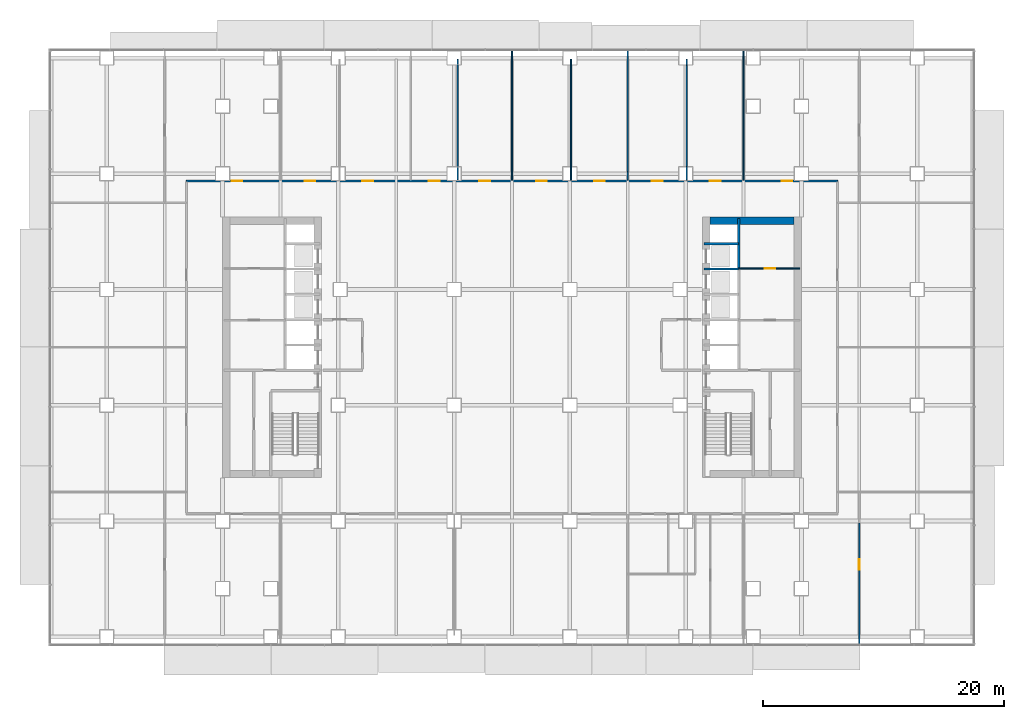
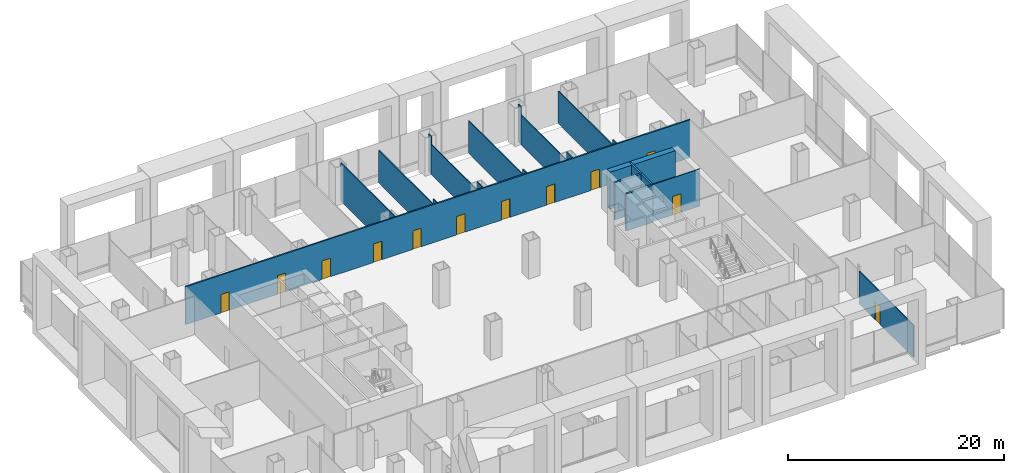
# One storey, part 17 of 23: 20 walls, 12 doors, 12 openings.
"""IFC4 building model written with IfcOpenShell, lengths in metres."""

from ifc_helpers import new_model, si_unit, direction, frame, frame_2d, origin, place, context, subcontext, project, spatial, rectangle, extrude, material, layer, layer_set, type_object, element, fill, save


model = new_model("IFC4")

# Units and contexts
model_context = context("Model", 3, precision=1e-05, world=origin(), true_north=direction((0.0, 1.0)))
body_context = subcontext(model_context, "Body", "Model", "MODEL_VIEW")
ifc_project = project(units=[si_unit("LENGTHUNIT", "METRE"), si_unit("AREAUNIT", "SQUARE_METRE"), si_unit("VOLUMEUNIT", "CUBIC_METRE"), si_unit("PLANEANGLEUNIT", "RADIAN"), si_unit("MASSUNIT", "GRAM", prefix="KILO")], contexts=[model_context])

# Site, building, storey
site_placement = place(None, origin())
site = spatial("IfcSite", under=ifc_project, at=site_placement, CompositionType="ELEMENT")
building_placement = place(site_placement, origin())
building = spatial("IfcBuilding", under=site, at=building_placement, Name="Cobrizo Arcos Hotel Tower", CompositionType="ELEMENT")
storey_placement = place(building_placement, frame((0.0, 0.0, 15.5)))
storey = spatial("IfcBuildingStorey", under=building, at=storey_placement, Name="L02", CompositionType="ELEMENT", Elevation=15.5)

# Wall, openings, doors
ifc_material_1 = material(Name="Gypsum board partition")
ifc_layer_1 = layer(ifc_material_1, 0.14990234375)
ifc_layer_set_1 = layer_set([ifc_layer_1], Name="Corridor wall EI 60 150")
wall_type_1 = type_object("IfcWallType", Name="Corridor wall EI 60 150", PredefinedType="PARTITIONING", material=ifc_layer_set_1)
wall_1_placement = place(storey_placement, frame((-27.0, 13.800048828125, 0.0), z_axis=(0.0, 0.0, 1.0), x_axis=(1.0, 0.0, 0.0)))
wall_1 = element("IfcWall", 1, at=wall_1_placement, inside=storey, type_object=wall_type_1, Name="Partition 031", PredefinedType="PARTITIONING", context=body_context, shape_type="SweptSolid", body=[
    extrude(rectangle(XDim=54.0, YDim=0.14990234375, at=frame_2d((27.0, 0.0))), origin(), (0.0, 0.0, 1.0), 4.300048828125),
])
opening_1_placement = place(wall_1_placement, frame((29.0009765625, 0.0, 0.0)))
opening_1 = element("IfcOpeningElement", 2, at=opening_1_placement, cuts=wall_1, Name="Opening RD-09", PredefinedType="OPENING", context=body_context, shape_type="SweptSolid", body=[
    extrude(rectangle(XDim=0.89990234375, YDim=2.10009765625, at=frame_2d((0.449951171875, 1.050048828125))), frame((0.0, 0.0869140625, 0.0), z_axis=(0.0, -1.0, 0.0), x_axis=(1.0, 0.0, 0.0)), (0.0, 0.0, 1.0), 0.173828125),
])
opening_2_placement = place(wall_1_placement, frame((33.801025390625, 0.0, 0.0)))
opening_2 = element("IfcOpeningElement", 3, at=opening_2_placement, cuts=wall_1, Name="Opening RD-10", PredefinedType="OPENING", context=body_context, shape_type="SweptSolid", body=[
    extrude(rectangle(XDim=0.89990234375, YDim=2.10009765625, at=frame_2d((0.449951171875, 1.050048828125))), frame((0.0, 0.0869140625, 0.0), z_axis=(0.0, -1.0, 0.0), x_axis=(1.0, 0.0, 0.0)), (0.0, 0.0, 1.0), 0.173828125),
])
opening_3_placement = place(wall_1_placement, frame((38.60107421875, 0.0, 0.0)))
opening_3 = element("IfcOpeningElement", 4, at=opening_3_placement, cuts=wall_1, Name="Opening RD-11", PredefinedType="OPENING", context=body_context, shape_type="SweptSolid", body=[
    extrude(rectangle(XDim=0.89990234375, YDim=2.10009765625, at=frame_2d((0.449951171875, 1.050048828125))), frame((0.0, 0.0869140625, 0.0), z_axis=(0.0, -1.0, 0.0), x_axis=(1.0, 0.0, 0.0)), (0.0, 0.0, 1.0), 0.173828125),
])
opening_4_placement = place(wall_1_placement, frame((43.40087890625, 0.0, 0.0)))
opening_4 = element("IfcOpeningElement", 5, at=opening_4_placement, cuts=wall_1, Name="Opening RD-12", PredefinedType="OPENING", context=body_context, shape_type="SweptSolid", body=[
    extrude(rectangle(XDim=0.89990234375, YDim=2.10009765625, at=frame_2d((0.449951171875, 1.050048828125))), frame((0.0, 0.0869140625, 0.0), z_axis=(0.0, -1.0, 0.0), x_axis=(1.0, 0.0, 0.0)), (0.0, 0.0, 1.0), 0.173828125),
])
opening_5_placement = place(wall_1_placement, frame((9.801025390625, 0.0, 0.0)))
opening_5 = element("IfcOpeningElement", 6, at=opening_5_placement, cuts=wall_1, Name="Opening RD-13", PredefinedType="OPENING", context=body_context, shape_type="SweptSolid", body=[
    extrude(rectangle(XDim=0.89990234375, YDim=2.10009765625, at=frame_2d((0.449951171875, 1.050048828125))), frame((0.0, 0.0869140625, 0.0), z_axis=(0.0, -1.0, 0.0), x_axis=(1.0, 0.0, 0.0)), (0.0, 0.0, 1.0), 0.173828125),
])
opening_6_placement = place(wall_1_placement, frame((14.60107421875, 0.0, 0.0)))
opening_6 = element("IfcOpeningElement", 7, at=opening_6_placement, cuts=wall_1, Name="Opening RD-14", PredefinedType="OPENING", context=body_context, shape_type="SweptSolid", body=[
    extrude(rectangle(XDim=0.89990234375, YDim=2.10009765625, at=frame_2d((0.449951171875, 1.050048828125))), frame((0.0, 0.0869140625, 0.0), z_axis=(0.0, -1.0, 0.0), x_axis=(1.0, 0.0, 0.0)), (0.0, 0.0, 1.0), 0.173828125),
])
opening_7_placement = place(wall_1_placement, frame((20.094970703125, 0.0, 0.0)))
opening_7 = element("IfcOpeningElement", 8, at=opening_7_placement, cuts=wall_1, Name="Opening RD-15", PredefinedType="OPENING", context=body_context, shape_type="SweptSolid", body=[
    extrude(rectangle(XDim=0.89990234375, YDim=2.10009765625, at=frame_2d((0.449951171875, 1.050048828125))), frame((0.0, 0.0869140625, 0.0), z_axis=(0.0, -1.0, 0.0), x_axis=(1.0, 0.0, 0.0)), (0.0, 0.0, 1.0), 0.173828125),
])
opening_8_placement = place(wall_1_placement, frame((3.75, 0.0, 0.0)))
opening_8 = element("IfcOpeningElement", 9, at=opening_8_placement, cuts=wall_1, Name="Opening RD-19", PredefinedType="OPENING", context=body_context, shape_type="SweptSolid", body=[
    extrude(rectangle(XDim=0.89990234375, YDim=2.10009765625, at=frame_2d((0.449951171875, 1.050048828125))), frame((0.0, 0.0869140625, 0.0), z_axis=(0.0, -1.0, 0.0), x_axis=(1.0, 0.0, 0.0)), (0.0, 0.0, 1.0), 0.173828125),
])
opening_9_placement = place(wall_1_placement, frame((49.35009765625, 0.0, 0.0)))
opening_9 = element("IfcOpeningElement", 10, at=opening_9_placement, cuts=wall_1, Name="Opening RD-23", PredefinedType="OPENING", context=body_context, shape_type="SweptSolid", body=[
    extrude(rectangle(XDim=0.89990234375, YDim=2.10009765625, at=frame_2d((0.449951171875, 1.050048828125))), frame((0.0, 0.0869140625, 0.0), z_axis=(0.0, -1.0, 0.0), x_axis=(1.0, 0.0, 0.0)), (0.0, 0.0, 1.0), 0.173828125),
])
opening_10_placement = place(wall_1_placement, frame((24.302978515625, 0.0, 0.0)))
opening_10 = element("IfcOpeningElement", 11, at=opening_10_placement, cuts=wall_1, Name="Opening RD-26", PredefinedType="OPENING", context=body_context, shape_type="SweptSolid", body=[
    extrude(rectangle(XDim=0.89990234375, YDim=2.10009765625, at=frame_2d((0.449951171875, 1.050048828125))), frame((0.0, 0.0869140625, 0.0), z_axis=(0.0, -1.0, 0.0), x_axis=(1.0, 0.0, 0.0)), (0.0, 0.0, 1.0), 0.173828125),
])
ifc_material_2 = material(Name="Timber door leaf", Category="wood")
door_type = type_object("IfcDoorType", Name="Room door FD30 900x2100", OperationType="SINGLE_SWING_LEFT", PredefinedType="DOOR", material=ifc_material_2)
door_1_placement = place(opening_1_placement, origin())
door_1 = element("IfcDoor", 12, at=door_1_placement, inside=storey, type_object=door_type, Name="Door RD-09", OperationType="SINGLE_SWING_RIGHT", OverallHeight=2.10009765625, OverallWidth=0.89990234375, PredefinedType="DOOR", context=body_context, shape_type="SweptSolid", body=[
    extrude(rectangle(XDim=0.89990234375, YDim=2.10009765625, at=frame_2d((0.449951171875, 1.050048828125))), frame((0.0, 0.02490234375, 0.0), z_axis=(0.0, -1.0, 0.0), x_axis=(1.0, 0.0, 0.0)), (0.0, 0.0, 1.0), 0.050048828125),
])
fill(opening_1, door_1)
door_2_placement = place(opening_2_placement, origin())
door_2 = element("IfcDoor", 13, at=door_2_placement, inside=storey, type_object=door_type, Name="Door RD-10", OperationType="SINGLE_SWING_LEFT", OverallHeight=2.10009765625, OverallWidth=0.89990234375, PredefinedType="DOOR", context=body_context, shape_type="SweptSolid", body=[
    extrude(rectangle(XDim=0.89990234375, YDim=2.10009765625, at=frame_2d((0.449951171875, 1.050048828125))), frame((0.0, 0.02490234375, 0.0), z_axis=(0.0, -1.0, 0.0), x_axis=(1.0, 0.0, 0.0)), (0.0, 0.0, 1.0), 0.050048828125),
])
fill(opening_2, door_2)
door_3_placement = place(opening_3_placement, origin())
door_3 = element("IfcDoor", 14, at=door_3_placement, inside=storey, type_object=door_type, Name="Door RD-11", OperationType="SINGLE_SWING_RIGHT", OverallHeight=2.10009765625, OverallWidth=0.89990234375, PredefinedType="DOOR", context=body_context, shape_type="SweptSolid", body=[
    extrude(rectangle(XDim=0.89990234375, YDim=2.10009765625, at=frame_2d((0.449951171875, 1.050048828125))), frame((0.0, 0.02490234375, 0.0), z_axis=(0.0, -1.0, 0.0), x_axis=(1.0, 0.0, 0.0)), (0.0, 0.0, 1.0), 0.050048828125),
])
fill(opening_3, door_3)
door_4_placement = place(opening_4_placement, origin())
door_4 = element("IfcDoor", 15, at=door_4_placement, inside=storey, type_object=door_type, Name="Door RD-12", OperationType="SINGLE_SWING_RIGHT", OverallHeight=2.10009765625, OverallWidth=0.89990234375, PredefinedType="DOOR", context=body_context, shape_type="SweptSolid", body=[
    extrude(rectangle(XDim=0.89990234375, YDim=2.10009765625, at=frame_2d((0.449951171875, 1.050048828125))), frame((0.0, 0.02490234375, 0.0), z_axis=(0.0, -1.0, 0.0), x_axis=(1.0, 0.0, 0.0)), (0.0, 0.0, 1.0), 0.050048828125),
])
fill(opening_4, door_4)
door_5_placement = place(opening_5_placement, origin())
door_5 = element("IfcDoor", 16, at=door_5_placement, inside=storey, type_object=door_type, Name="Door RD-13", OperationType="SINGLE_SWING_LEFT", OverallHeight=2.10009765625, OverallWidth=0.89990234375, PredefinedType="DOOR", context=body_context, shape_type="SweptSolid", body=[
    extrude(rectangle(XDim=0.89990234375, YDim=2.10009765625, at=frame_2d((0.449951171875, 1.050048828125))), frame((0.0, 0.02490234375, 0.0), z_axis=(0.0, -1.0, 0.0), x_axis=(1.0, 0.0, 0.0)), (0.0, 0.0, 1.0), 0.050048828125),
])
fill(opening_5, door_5)
door_6_placement = place(opening_6_placement, origin())
door_6 = element("IfcDoor", 17, at=door_6_placement, inside=storey, type_object=door_type, Name="Door RD-14", OperationType="SINGLE_SWING_LEFT", OverallHeight=2.10009765625, OverallWidth=0.89990234375, PredefinedType="DOOR", context=body_context, shape_type="SweptSolid", body=[
    extrude(rectangle(XDim=0.89990234375, YDim=2.10009765625, at=frame_2d((0.449951171875, 1.050048828125))), frame((0.0, 0.02490234375, 0.0), z_axis=(0.0, -1.0, 0.0), x_axis=(1.0, 0.0, 0.0)), (0.0, 0.0, 1.0), 0.050048828125),
])
fill(opening_6, door_6)
door_7_placement = place(opening_7_placement, origin())
door_7 = element("IfcDoor", 18, at=door_7_placement, inside=storey, type_object=door_type, Name="Door RD-15", OperationType="SINGLE_SWING_LEFT", OverallHeight=2.10009765625, OverallWidth=0.89990234375, PredefinedType="DOOR", context=body_context, shape_type="SweptSolid", body=[
    extrude(rectangle(XDim=0.89990234375, YDim=2.10009765625, at=frame_2d((0.449951171875, 1.050048828125))), frame((0.0, 0.02490234375, 0.0), z_axis=(0.0, -1.0, 0.0), x_axis=(1.0, 0.0, 0.0)), (0.0, 0.0, 1.0), 0.050048828125),
])
fill(opening_7, door_7)
door_8_placement = place(opening_8_placement, origin())
door_8 = element("IfcDoor", 19, at=door_8_placement, inside=storey, type_object=door_type, Name="Door RD-19", OperationType="SINGLE_SWING_LEFT", OverallHeight=2.10009765625, OverallWidth=0.89990234375, PredefinedType="DOOR", context=body_context, shape_type="SweptSolid", body=[
    extrude(rectangle(XDim=0.89990234375, YDim=2.10009765625, at=frame_2d((0.449951171875, 1.050048828125))), frame((0.0, 0.02490234375, 0.0), z_axis=(0.0, -1.0, 0.0), x_axis=(1.0, 0.0, 0.0)), (0.0, 0.0, 1.0), 0.050048828125),
])
fill(opening_8, door_8)
door_9_placement = place(opening_9_placement, origin())
door_9 = element("IfcDoor", 20, at=door_9_placement, inside=storey, type_object=door_type, Name="Door RD-23", OperationType="SINGLE_SWING_LEFT", OverallHeight=2.10009765625, OverallWidth=0.89990234375, PredefinedType="DOOR", context=body_context, shape_type="SweptSolid", body=[
    extrude(rectangle(XDim=0.89990234375, YDim=2.10009765625, at=frame_2d((0.449951171875, 1.050048828125))), frame((0.0, 0.02490234375, 0.0), z_axis=(0.0, -1.0, 0.0), x_axis=(1.0, 0.0, 0.0)), (0.0, 0.0, 1.0), 0.050048828125),
])
fill(opening_9, door_9)
door_10_placement = place(opening_10_placement, origin())
door_10 = element("IfcDoor", 21, at=door_10_placement, inside=storey, type_object=door_type, Name="Door RD-26", OperationType="SINGLE_SWING_LEFT", OverallHeight=2.10009765625, OverallWidth=0.89990234375, PredefinedType="DOOR", context=body_context, shape_type="SweptSolid", body=[
    extrude(rectangle(XDim=0.89990234375, YDim=2.10009765625, at=frame_2d((0.449951171875, 1.050048828125))), frame((0.0, 0.02490234375, 0.0), z_axis=(0.0, -1.0, 0.0), x_axis=(1.0, 0.0, 0.0)), (0.0, 0.0, 1.0), 0.050048828125),
])
fill(opening_10, door_10)

# Wall, opening, door
ifc_layer_2 = layer(ifc_material_1, 0.10009765625)
ifc_layer_set_2 = layer_set([ifc_layer_2], Name="Partition EI 30 100")
wall_type_2 = type_object("IfcWallType", Name="Partition EI 30 100", PredefinedType="PARTITIONING", material=ifc_layer_set_2)
wall_2_placement = place(storey_placement, frame((18.800048828125, 6.550048828125, 0.0), z_axis=(0.0, 0.0, 1.0), x_axis=(1.0, 0.0, 0.0)))
wall_2 = element("IfcWall", 22, at=wall_2_placement, inside=storey, type_object=wall_type_2, Name="Partition 026", PredefinedType="PARTITIONING", context=body_context, shape_type="SweptSolid", body=[
    extrude(rectangle(XDim=5.079833984375, YDim=0.10009765625, at=frame_2d((2.5400390625, 0.0))), origin(), (0.0, 0.0, 1.0), 4.199951171875),
])
opening_11_placement = place(wall_2_placement, frame((2.14990234375, 0.0, 0.0)))
opening_11 = element("IfcOpeningElement", 23, at=opening_11_placement, cuts=wall_2, Name="Opening RD-08", PredefinedType="OPENING", context=body_context, shape_type="SweptSolid", body=[
    extrude(rectangle(XDim=0.89990234375, YDim=2.10009765625, at=frame_2d((0.449951171875, 1.050048828125))), frame((0.0, 0.06201171875, 0.0), z_axis=(0.0, -1.0, 0.0), x_axis=(1.0, 0.0, 0.0)), (0.0, 0.0, 1.0), 0.1240234375),
])
door_11_placement = place(opening_11_placement, origin())
door_11 = element("IfcDoor", 24, at=door_11_placement, inside=storey, type_object=door_type, Name="Door RD-08", OperationType="SINGLE_SWING_RIGHT", OverallHeight=2.10009765625, OverallWidth=0.89990234375, PredefinedType="DOOR", context=body_context, shape_type="SweptSolid", body=[
    extrude(rectangle(XDim=0.89990234375, YDim=2.10009765625, at=frame_2d((0.449951171875, 1.050048828125))), frame((0.0, 0.02490234375, 0.0), z_axis=(0.0, -1.0, 0.0), x_axis=(1.0, 0.0, 0.0)), (0.0, 0.0, 1.0), 0.050048828125),
])
fill(opening_11, door_11)

# Walls
wall_3_placement = place(storey_placement, frame((-4.5, 13.875, 0.0), z_axis=(0.0, 0.0, 1.0), x_axis=(0.0, 1.0, 0.0)))
element("IfcWall", 25, at=wall_3_placement, inside=storey, type_object=wall_type_2, Name="Partition 056", PredefinedType="PARTITIONING", context=body_context, shape_type="SweptSolid", body=[
    extrude(rectangle(XDim=10.0048828125, YDim=0.10009765625, at=frame_2d((5.00244140625, 0.0))), origin(), (0.0, 0.0, 1.0), 4.300048828125),
])
wall_4_placement = place(storey_placement, frame((0.0, 13.875, 0.0), z_axis=(0.0, 0.0, 1.0), x_axis=(0.0, 1.0, 0.0)))
element("IfcWall", 26, at=wall_4_placement, inside=storey, type_object=wall_type_2, Name="Partition 057", PredefinedType="PARTITIONING", context=body_context, shape_type="SweptSolid", body=[
    extrude(rectangle(XDim=0.678955078125, YDim=0.10009765625, at=frame_2d((0.33935546875, 0.0))), origin(), (0.0, 0.0, 1.0), 4.300048828125),
])
wall_5_placement = place(storey_placement, frame((0.0, 14.5537109375, 0.0), z_axis=(0.0, 0.0, 1.0), x_axis=(0.0, 1.0, 0.0)))
element("IfcWall", 27, at=wall_5_placement, inside=storey, type_object=wall_type_2, Name="Partition 058", PredefinedType="PARTITIONING", context=body_context, shape_type="SweptSolid", body=[
    extrude(rectangle(XDim=10.076171875, YDim=0.10009765625, at=frame_2d((5.0380859375, 0.0))), origin(), (0.0, 0.0, 1.0), 3.68310546875),
])
wall_6_placement = place(storey_placement, frame((4.89990234375, 13.875, 0.0), z_axis=(0.0, 0.0, 1.0), x_axis=(0.0, 1.0, 0.0)))
element("IfcWall", 28, at=wall_6_placement, inside=storey, type_object=wall_type_2, Name="Partition 059", PredefinedType="PARTITIONING", context=body_context, shape_type="SweptSolid", body=[
    extrude(rectangle(XDim=1.125, YDim=0.10009765625, at=frame_2d((0.5625, 0.0))), origin(), (0.0, 0.0, 1.0), 4.300048828125),
])
wall_7_placement = place(storey_placement, frame((4.89990234375, 15.0, 0.0), z_axis=(0.0, 0.0, 1.0), x_axis=(0.0, 1.0, 0.0)))
element("IfcWall", 29, at=wall_7_placement, inside=storey, type_object=wall_type_2, Name="Partition 060", PredefinedType="PARTITIONING", context=body_context, shape_type="SweptSolid", body=[
    extrude(rectangle(XDim=8.39990234375, YDim=0.10009765625, at=frame_2d((4.199951171875, 0.0))), origin(), (0.0, 0.0, 1.0), 3.373046875),
])
wall_8_placement = place(storey_placement, frame((4.89990234375, 23.39990234375, 0.0), z_axis=(0.0, 0.0, 1.0), x_axis=(0.0, 1.0, 0.0)))
element("IfcWall", 30, at=wall_8_placement, inside=storey, type_object=wall_type_2, Name="Partition 061", PredefinedType="PARTITIONING", context=body_context, shape_type="SweptSolid", body=[
    extrude(rectangle(XDim=0.47998046875, YDim=0.10009765625, at=frame_2d((0.239990234375, 0.0))), origin(), (0.0, 0.0, 1.0), 4.300048828125),
])
wall_9_placement = place(storey_placement, frame((9.60009765625, 13.875, 0.0), z_axis=(0.0, 0.0, 1.0), x_axis=(0.0, 1.0, 0.0)))
element("IfcWall", 31, at=wall_9_placement, inside=storey, type_object=wall_type_2, Name="Partition 064", PredefinedType="PARTITIONING", context=body_context, shape_type="SweptSolid", body=[
    extrude(rectangle(XDim=0.678955078125, YDim=0.10009765625, at=frame_2d((0.33935546875, 0.0))), origin(), (0.0, 0.0, 1.0), 4.300048828125),
])
wall_10_placement = place(storey_placement, frame((9.60009765625, 14.5537109375, 0.0), z_axis=(0.0, 0.0, 1.0), x_axis=(0.0, 1.0, 0.0)))
element("IfcWall", 32, at=wall_10_placement, inside=storey, type_object=wall_type_2, Name="Partition 065", PredefinedType="PARTITIONING", context=body_context, shape_type="SweptSolid", body=[
    extrude(rectangle(XDim=10.076171875, YDim=0.10009765625, at=frame_2d((5.0380859375, 0.0))), origin(), (0.0, 0.0, 1.0), 3.68310546875),
])
wall_11_placement = place(storey_placement, frame((14.5, 13.875, 0.0), z_axis=(0.0, 0.0, 1.0), x_axis=(0.0, 1.0, 0.0)))
element("IfcWall", 33, at=wall_11_placement, inside=storey, type_object=wall_type_2, Name="Partition 068", PredefinedType="PARTITIONING", context=body_context, shape_type="SweptSolid", body=[
    extrude(rectangle(XDim=1.125, YDim=0.10009765625, at=frame_2d((0.5625, 0.0))), origin(), (0.0, 0.0, 1.0), 4.300048828125),
])
wall_12_placement = place(storey_placement, frame((14.5, 15.0, 0.0), z_axis=(0.0, 0.0, 1.0), x_axis=(0.0, 1.0, 0.0)))
element("IfcWall", 34, at=wall_12_placement, inside=storey, type_object=wall_type_2, Name="Partition 069", PredefinedType="PARTITIONING", context=body_context, shape_type="SweptSolid", body=[
    extrude(rectangle(XDim=8.39990234375, YDim=0.10009765625, at=frame_2d((4.199951171875, 0.0))), origin(), (0.0, 0.0, 1.0), 3.373046875),
])
wall_13_placement = place(storey_placement, frame((14.5, 23.39990234375, 0.0), z_axis=(0.0, 0.0, 1.0), x_axis=(0.0, 1.0, 0.0)))
element("IfcWall", 35, at=wall_13_placement, inside=storey, type_object=wall_type_2, Name="Partition 070", PredefinedType="PARTITIONING", context=body_context, shape_type="SweptSolid", body=[
    extrude(rectangle(XDim=0.47998046875, YDim=0.10009765625, at=frame_2d((0.239990234375, 0.0))), origin(), (0.0, 0.0, 1.0), 4.300048828125),
])
wall_14_placement = place(storey_placement, frame((19.199951171875, 13.875, 0.0), z_axis=(0.0, 0.0, 1.0), x_axis=(0.0, 1.0, 0.0)))
element("IfcWall", 36, at=wall_14_placement, inside=storey, type_object=wall_type_2, Name="Partition 078", PredefinedType="PARTITIONING", context=body_context, shape_type="SweptSolid", body=[
    extrude(rectangle(XDim=0.678955078125, YDim=0.10009765625, at=frame_2d((0.33935546875, 0.0))), origin(), (0.0, 0.0, 1.0), 4.300048828125),
])
wall_15_placement = place(storey_placement, frame((19.199951171875, 14.5537109375, 0.0), z_axis=(0.0, 0.0, 1.0), x_axis=(0.0, 1.0, 0.0)))
element("IfcWall", 37, at=wall_15_placement, inside=storey, type_object=wall_type_2, Name="Partition 079", PredefinedType="PARTITIONING", context=body_context, shape_type="SweptSolid", body=[
    extrude(rectangle(XDim=10.076171875, YDim=0.10009765625, at=frame_2d((5.0380859375, 0.0))), origin(), (0.0, 0.0, 1.0), 3.68310546875),
])

# Wall, opening, door
wall_16_placement = place(storey_placement, frame((28.800048828125, -24.6298828125, 0.0), z_axis=(0.0, 0.0, 1.0), x_axis=(0.0, 1.0, 0.0)))
wall_16 = element("IfcWall", 38, at=wall_16_placement, inside=storey, type_object=wall_type_2, Name="Partition 083", PredefinedType="PARTITIONING", context=body_context, shape_type="SweptSolid", body=[
    extrude(rectangle(XDim=10.076171875, YDim=0.10009765625, at=frame_2d((5.0380859375, 0.0))), origin(), (0.0, 0.0, 1.0), 3.68310546875),
])
opening_12_placement = place(wall_16_placement, frame((6.179931640625, 0.0, 0.0)))
opening_12 = element("IfcOpeningElement", 39, at=opening_12_placement, cuts=wall_16, Name="Opening RD-31", PredefinedType="OPENING", context=body_context, shape_type="SweptSolid", body=[
    extrude(rectangle(XDim=0.89990234375, YDim=2.10009765625, at=frame_2d((0.449951171875, 1.050048828125))), frame((0.0, 0.06201171875, 0.0), z_axis=(0.0, -1.0, 0.0), x_axis=(1.0, 0.0, 0.0)), (0.0, 0.0, 1.0), 0.1240234375),
])
door_12_placement = place(opening_12_placement, origin())
door_12 = element("IfcDoor", 40, at=door_12_placement, inside=storey, type_object=door_type, Name="Door RD-31", OperationType="SINGLE_SWING_LEFT", OverallHeight=2.10009765625, OverallWidth=0.89990234375, PredefinedType="DOOR", context=body_context, shape_type="SweptSolid", body=[
    extrude(rectangle(XDim=0.89990234375, YDim=2.10009765625, at=frame_2d((0.449951171875, 1.050048828125))), frame((0.0, 0.02490234375, 0.0), z_axis=(0.0, -1.0, 0.0), x_axis=(1.0, 0.0, 0.0)), (0.0, 0.0, 1.0), 0.050048828125),
])
fill(opening_12, door_12)

# Walls
ifc_material_3 = material(Name="Concrete f'c 60 MPa", Category="concrete")
ifc_layer_3 = layer(ifc_material_3, 0.60009765625)
ifc_layer_set_3 = layer_set([ifc_layer_3], Name="RC core wall 600 f'c 60")
wall_type_3 = type_object("IfcWallType", Name="RC core wall 600 f'c 60", PredefinedType="SHEAR", material=ifc_layer_set_3)
wall_17_placement = place(storey_placement, frame((16.39990234375, 10.5, 0.0), z_axis=(0.0, 0.0, 1.0), x_axis=(1.0, 0.0, 0.0)))
element("IfcWall", 41, at=wall_17_placement, inside=storey, type_object=wall_type_3, Name="Core wall CW1, east core, north end, L02", PredefinedType="SHEAR", context=body_context, shape_type="SweptSolid", body=[
    extrude(rectangle(XDim=7.0, YDim=0.60009765625, at=frame_2d((3.5, 0.0))), origin(), (0.0, 0.0, 1.0), 4.199951171875),
])
ifc_layer_4 = layer(ifc_material_1, 0.199951171875)
ifc_layer_set_4 = layer_set([ifc_layer_4], Name="Shaft wall EI 120 200")
wall_type_4 = type_object("IfcWallType", Name="Shaft wall EI 120 200", PredefinedType="PARTITIONING", material=ifc_layer_set_4)
for number, where, z_axis, x_axis, name in (
    (42, (15.919921875, 6.5, 0.0), (0.0, 0.0, 1.0), (1.0, 0.0, 0.0), "Partition 024"),
    (43, (15.919921875, 8.60009765625, 0.0), (0.0, 0.0, 1.0), (1.0, 0.0, 0.0), "Partition 028"),
):
    element("IfcWall", number, at=place(storey_placement, frame(where, z_axis=z_axis, x_axis=x_axis)), inside=storey, type_object=wall_type_4, Name=name, PredefinedType="PARTITIONING", context=body_context, shape_type="SweptSolid", body=[
        extrude(rectangle(XDim=2.880126953125, YDim=0.199951171875, at=frame_2d((1.43994140625, 0.0))), origin(), (0.0, 0.0, 1.0), 4.199951171875),
    ])
wall_18_placement = place(storey_placement, frame((18.800048828125, 6.60009765625, 0.0), z_axis=(0.0, 0.0, 1.0), x_axis=(0.0, 1.0, 0.0)))
element("IfcWall", 44, at=wall_18_placement, inside=storey, type_object=wall_type_4, Name="Partition 075", PredefinedType="PARTITIONING", context=body_context, shape_type="SweptSolid", body=[
    extrude(rectangle(XDim=4.079833984375, YDim=0.199951171875, at=frame_2d((2.0400390625, 0.0))), origin(), (0.0, 0.0, 1.0), 4.199951171875),
])

save(model, "model.ifc")
